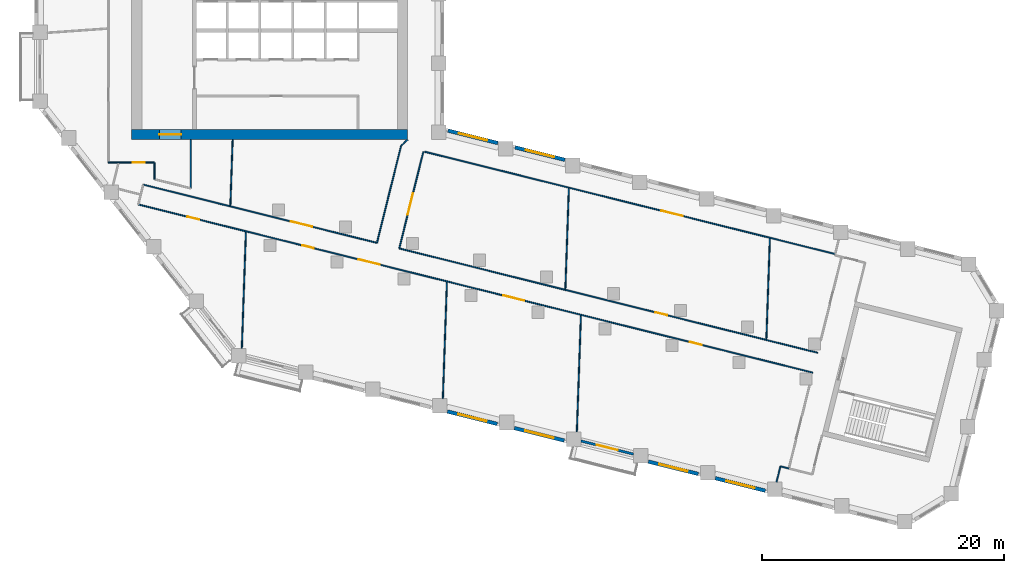
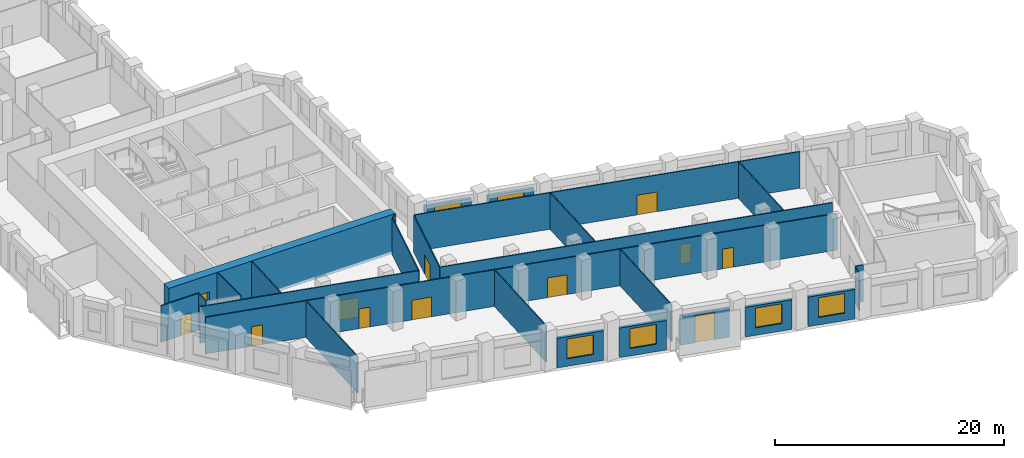
# One storey, part 3 of 10: 26 walls, 12 doors, 6 windows, 18 openings.
"""IFC4 building model written with IfcOpenShell, lengths in metres."""

from ifc_helpers import new_model, si_unit, direction, frame, frame_2d, origin, place, context, subcontext, project, spatial, rectangle, extrude, material, layer, layer_set, type_object, element, fill, save


model = new_model("IFC4")

# Units and contexts
model_context = context("Model", 3, precision=1e-05, world=origin(), true_north=direction((0.0, 1.0)))
body_context = subcontext(model_context, "Body", "Model", "MODEL_VIEW")
ifc_project = project(units=[si_unit("LENGTHUNIT", "METRE"), si_unit("AREAUNIT", "SQUARE_METRE"), si_unit("VOLUMEUNIT", "CUBIC_METRE"), si_unit("PLANEANGLEUNIT", "RADIAN"), si_unit("MASSUNIT", "GRAM", prefix="KILO")], contexts=[model_context])

# Site, building, storey
site_placement = place(None, origin())
site = spatial("IfcSite", under=ifc_project, at=site_placement, CompositionType="ELEMENT")
building_placement = place(site_placement, origin())
building = spatial("IfcBuilding", under=site, at=building_placement, Name="Meshkara Civic Tower", CompositionType="ELEMENT")
storey_placement = place(building_placement, frame((0.0, 0.0, 165.60009765625)))
storey = spatial("IfcBuildingStorey", under=building, at=storey_placement, Name="L37", CompositionType="ELEMENT", Elevation=165.60009765625)

# Wall, opening, door
ifc_material_1 = material(Name="Concrete C70", Category="concrete")
ifc_layer_1 = layer(ifc_material_1, 0.85009765625)
ifc_layer_set_1 = layer_set([ifc_layer_1], Name="Core ring wall 850 C70")
wall_type_1 = type_object("IfcWallType", Name="Core ring wall 850 C70", PredefinedType="SHEAR", material=ifc_layer_set_1)
wall_1_placement = place(storey_placement, frame((8.0, 14.52490234375, -0.300048828125), z_axis=(0.0, 0.0, 1.0), x_axis=(1.0, 0.0, 0.0)))
wall_1 = element("IfcWall", 1, at=wall_1_placement, inside=storey, type_object=wall_type_1, Name="L37-C001", PredefinedType="SHEAR", context=body_context, shape_type="SweptSolid", body=[
    extrude(rectangle(XDim=22.800048828125, YDim=0.85009765625, at=frame_2d((11.39990234375, 0.0))), origin(), (0.0, 0.0, 1.0), 4.199951171875),
])
opening_1_placement = place(wall_1_placement, frame((2.300048828125, 0.0, 0.300048828125)))
opening_1 = element("IfcOpeningElement", 2, at=opening_1_placement, cuts=wall_1, Name="Opening L37-K020", PredefinedType="OPENING", context=body_context, shape_type="SweptSolid", body=[
    extrude(rectangle(XDim=1.800048828125, YDim=2.10009765625, at=frame_2d((0.89990234375, 1.050048828125))), frame((0.0, 0.43505859375, 0.0), z_axis=(0.0, -1.0, 0.0), x_axis=(1.0, 0.0, 0.0)), (0.0, 0.0, 1.0), 0.8701171875),
])
ifc_material_2 = material(Name="Fire-rated door leaf in steel frame", Category="steel")
door_type_1 = type_object("IfcDoorType", Name="Core double door 1800 EI 60", OperationType="DOUBLE_DOOR_SINGLE_SWING", PredefinedType="DOOR", material=ifc_material_2)
door_1_placement = place(opening_1_placement, origin())
door_1 = element("IfcDoor", 3, at=door_1_placement, inside=storey, type_object=door_type_1, Name="L37-K020", OperationType="DOUBLE_DOOR_SINGLE_SWING", OverallHeight=2.10009765625, OverallWidth=1.800048828125, PredefinedType="DOOR", context=body_context, shape_type="SweptSolid", body=[
    extrude(rectangle(XDim=1.800048828125, YDim=2.10009765625, at=frame_2d((0.89990234375, 1.050048828125))), frame((0.0, 0.02490234375, 0.0), z_axis=(0.0, -1.0, 0.0), x_axis=(1.0, 0.0, 0.0)), (0.0, 0.0, 1.0), 0.050048828125),
])
fill(opening_1, door_1)

ifc_material_3 = material(Name="Corridor wall 100")
ifc_layer_2 = layer(ifc_material_3, 0.10009765625)
ifc_layer_set_2 = layer_set([ifc_layer_2], Name="Corridor wall 100")
wall_type_2 = type_object("IfcWallType", Name="Corridor wall 100", PredefinedType="PARTITIONING", material=ifc_layer_set_2)
wall_2_placement = place(storey_placement, frame((6.10009765625, 12.199951171875, 0.0), z_axis=(0.0, 0.0, 1.0), x_axis=(1.0, 0.0, 0.0)))
wall_2 = element("IfcWall", 4, at=wall_2_placement, inside=storey, type_object=wall_type_2, Name="L37-W004", PredefinedType="PARTITIONING", context=body_context, shape_type="SweptSolid", body=[
    extrude(rectangle(XDim=3.7998046875, YDim=0.10009765625, at=frame_2d((1.89990234375, 0.0))), origin(), (0.0, 0.0, 1.0), 3.89990234375),
])
opening_2_placement = place(wall_2_placement, frame((2.001953125, 0.0, 0.0)))
opening_2 = element("IfcOpeningElement", 5, at=opening_2_placement, cuts=wall_2, Name="Opening L37-D015", PredefinedType="OPENING", context=body_context, shape_type="SweptSolid", body=[
    extrude(rectangle(XDim=1.0, YDim=2.10009765625, at=frame_2d((0.5, 1.050048828125))), frame((0.0, 0.06005859375, 0.0), z_axis=(0.0, -1.0, 0.0), x_axis=(1.0, 0.0, 0.0)), (0.0, 0.0, 1.0), 0.1201171875),
])
ifc_material_4 = material(Name="Door 1000 x 2100")
door_type_2 = type_object("IfcDoorType", Name="Door 1000 x 2100", OperationType="SINGLE_SWING_LEFT", PredefinedType="DOOR", material=ifc_material_4)
door_2_placement = place(opening_2_placement, origin())
door_2 = element("IfcDoor", 6, at=door_2_placement, inside=storey, type_object=door_type_2, Name="L37-D015", OperationType="SINGLE_SWING_LEFT", OverallHeight=2.10009765625, OverallWidth=1.0, PredefinedType="DOOR", context=body_context, shape_type="SweptSolid", body=[
    extrude(rectangle(XDim=1.0, YDim=2.10009765625, at=frame_2d((0.5, 1.050048828125))), frame((0.0, 0.02490234375, 0.0), z_axis=(0.0, -1.0, 0.0), x_axis=(1.0, 0.0, 0.0)), (0.0, 0.0, 1.0), 0.050048828125),
])
fill(opening_2, door_2)

# Wall, openings, doors
wall_3_placement = place(storey_placement, frame((8.56494140625, 8.743896484375, 0.0), z_axis=(0.0, 0.0, 1.0), x_axis=(0.970296742948, -0.241917817915, 0.0)))
wall_3 = element("IfcWall", 7, at=wall_3_placement, inside=storey, type_object=wall_type_2, Name="L37-W006", PredefinedType="PARTITIONING", context=body_context, shape_type="SweptSolid", body=[
    extrude(rectangle(XDim=57.374267578125, YDim=0.10009765625, at=frame_2d((28.68701171875, 0.0))), origin(), (0.0, 0.0, 1.0), 3.89990234375),
])
opening_3_placement = place(wall_3_placement, frame((46.93603515625, 0.0, 0.0)))
opening_3 = element("IfcOpeningElement", 8, at=opening_3_placement, cuts=wall_3, Name="Opening L37-D004", PredefinedType="OPENING", context=body_context, shape_type="SweptSolid", body=[
    extrude(rectangle(XDim=1.0, YDim=2.10009765625, at=frame_2d((0.5, 1.050048828125))), frame((0.0, 0.06005859375, 0.0), z_axis=(0.0, -1.0, 0.0), x_axis=(1.0, 0.0, 0.0)), (0.0, 0.0, 1.0), 0.1201171875),
])
opening_4_placement = place(wall_3_placement, frame((13.93603515625, 0.0, 0.0)))
opening_4 = element("IfcOpeningElement", 9, at=opening_4_placement, cuts=wall_3, Name="Opening L37-D005", PredefinedType="OPENING", context=body_context, shape_type="SweptSolid", body=[
    extrude(rectangle(XDim=1.0, YDim=2.10009765625, at=frame_2d((0.5, 1.050048828125))), frame((0.0, 0.06005859375, 0.0), z_axis=(0.0, -1.0, 0.0), x_axis=(1.0, 0.0, 0.0)), (0.0, 0.0, 1.0), 0.1201171875),
])
opening_5_placement = place(wall_3_placement, frame((18.736083984375, 0.0, 0.0)))
opening_5 = element("IfcOpeningElement", 10, at=opening_5_placement, cuts=wall_3, Name="Opening L37-D006", PredefinedType="OPENING", context=body_context, shape_type="SweptSolid", body=[
    extrude(rectangle(XDim=1.800048828125, YDim=2.10009765625, at=frame_2d((0.89990234375, 1.050048828125))), frame((0.0, 0.06005859375, 0.0), z_axis=(0.0, -1.0, 0.0), x_axis=(1.0, 0.0, 0.0)), (0.0, 0.0, 1.0), 0.1201171875),
])
opening_6_placement = place(wall_3_placement, frame((31.035888671875, 0.0, 0.0)))
opening_6 = element("IfcOpeningElement", 11, at=opening_6_placement, cuts=wall_3, Name="Opening L37-D007", PredefinedType="OPENING", context=body_context, shape_type="SweptSolid", body=[
    extrude(rectangle(XDim=1.800048828125, YDim=2.10009765625, at=frame_2d((0.89990234375, 1.050048828125))), frame((0.0, 0.06005859375, 0.0), z_axis=(0.0, -1.0, 0.0), x_axis=(1.0, 0.0, 0.0)), (0.0, 0.0, 1.0), 0.1201171875),
])
opening_7_placement = place(wall_3_placement, frame((4.179931640625, 0.0, 0.0)))
opening_7 = element("IfcOpeningElement", 12, at=opening_7_placement, cuts=wall_3, Name="Opening L37-D010", PredefinedType="OPENING", context=body_context, shape_type="SweptSolid", body=[
    extrude(rectangle(XDim=1.0, YDim=2.10009765625, at=frame_2d((0.5, 1.050048828125))), frame((0.0, 0.06005859375, 0.0), z_axis=(0.0, -1.0, 0.0), x_axis=(1.0, 0.0, 0.0)), (0.0, 0.0, 1.0), 0.1201171875),
])
door_3_placement = place(opening_3_placement, origin())
door_3 = element("IfcDoor", 13, at=door_3_placement, inside=storey, type_object=door_type_2, Name="L37-D004", OperationType="SINGLE_SWING_RIGHT", OverallHeight=2.10009765625, OverallWidth=1.0, PredefinedType="DOOR", context=body_context, shape_type="SweptSolid", body=[
    extrude(rectangle(XDim=1.0, YDim=2.10009765625, at=frame_2d((0.5, 1.050048828125))), frame((0.0, 0.02490234375, 0.0), z_axis=(0.0, -1.0, 0.0), x_axis=(1.0, 0.0, 0.0)), (0.0, 0.0, 1.0), 0.050048828125),
])
fill(opening_3, door_3)
door_4_placement = place(opening_4_placement, origin())
door_4 = element("IfcDoor", 14, at=door_4_placement, inside=storey, type_object=door_type_2, Name="L37-D005", OperationType="SINGLE_SWING_RIGHT", OverallHeight=2.10009765625, OverallWidth=1.0, PredefinedType="DOOR", context=body_context, shape_type="SweptSolid", body=[
    extrude(rectangle(XDim=1.0, YDim=2.10009765625, at=frame_2d((0.5, 1.050048828125))), frame((0.0, 0.02490234375, 0.0), z_axis=(0.0, -1.0, 0.0), x_axis=(1.0, 0.0, 0.0)), (0.0, 0.0, 1.0), 0.050048828125),
])
fill(opening_4, door_4)
door_5_placement = place(opening_7_placement, origin())
door_5 = element("IfcDoor", 15, at=door_5_placement, inside=storey, type_object=door_type_2, Name="L37-D010", OperationType="SINGLE_SWING_LEFT", OverallHeight=2.10009765625, OverallWidth=1.0, PredefinedType="DOOR", context=body_context, shape_type="SweptSolid", body=[
    extrude(rectangle(XDim=1.0, YDim=2.10009765625, at=frame_2d((0.5, 1.050048828125))), frame((0.0, 0.02490234375, 0.0), z_axis=(0.0, -1.0, 0.0), x_axis=(1.0, 0.0, 0.0)), (0.0, 0.0, 1.0), 0.050048828125),
])
fill(opening_7, door_5)
ifc_material_5 = material(Name="Door pair 1800 x 2100")
door_type_3 = type_object("IfcDoorType", Name="Door pair 1800 x 2100", OperationType="SINGLE_SWING_LEFT", PredefinedType="DOOR", material=ifc_material_5)
door_6_placement = place(opening_5_placement, origin())
door_6 = element("IfcDoor", 16, at=door_6_placement, inside=storey, type_object=door_type_3, Name="L37-D006", OperationType="DOUBLE_DOOR_SINGLE_SWING", OverallHeight=2.10009765625, OverallWidth=1.800048828125, PredefinedType="DOOR", context=body_context, shape_type="SweptSolid", body=[
    extrude(rectangle(XDim=1.800048828125, YDim=2.10009765625, at=frame_2d((0.89990234375, 1.050048828125))), frame((0.0, 0.02490234375, 0.0), z_axis=(0.0, -1.0, 0.0), x_axis=(1.0, 0.0, 0.0)), (0.0, 0.0, 1.0), 0.050048828125),
])
fill(opening_5, door_6)
door_7_placement = place(opening_6_placement, origin())
door_7 = element("IfcDoor", 17, at=door_7_placement, inside=storey, type_object=door_type_3, Name="L37-D007", OperationType="DOUBLE_DOOR_SINGLE_SWING", OverallHeight=2.10009765625, OverallWidth=1.800048828125, PredefinedType="DOOR", context=body_context, shape_type="SweptSolid", body=[
    extrude(rectangle(XDim=1.800048828125, YDim=2.10009765625, at=frame_2d((0.89990234375, 1.050048828125))), frame((0.0, 0.02490234375, 0.0), z_axis=(0.0, -1.0, 0.0), x_axis=(1.0, 0.0, 0.0)), (0.0, 0.0, 1.0), 0.050048828125),
])
fill(opening_6, door_7)

# Wall, opening, door
wall_4_placement = place(storey_placement, frame((8.972900390625, 10.382080078125, 0.0), z_axis=(0.0, 0.0, 1.0), x_axis=(0.970286808807, -0.241957658808, 0.0)))
wall_4 = element("IfcWall", 18, at=wall_4_placement, inside=storey, type_object=wall_type_2, Name="L37-W007", PredefinedType="PARTITIONING", context=body_context, shape_type="SweptSolid", body=[
    extrude(rectangle(XDim=19.879638671875, YDim=0.10009765625, at=frame_2d((9.93994140625, 0.0))), origin(), (0.0, 0.0, 1.0), 3.89990234375),
])
opening_8_placement = place(wall_4_placement, frame((12.574951171875, 0.0, 0.0)))
opening_8 = element("IfcOpeningElement", 19, at=opening_8_placement, cuts=wall_4, Name="Opening L37-D011", PredefinedType="OPENING", context=body_context, shape_type="SweptSolid", body=[
    extrude(rectangle(XDim=1.800048828125, YDim=2.10009765625, at=frame_2d((0.89990234375, 1.050048828125))), frame((0.0, 0.06005859375, 0.0), z_axis=(0.0, -1.0, 0.0), x_axis=(1.0, 0.0, 0.0)), (0.0, 0.0, 1.0), 0.1201171875),
])
door_8_placement = place(opening_8_placement, origin())
door_8 = element("IfcDoor", 20, at=door_8_placement, inside=storey, type_object=door_type_3, Name="L37-D011", OperationType="DOUBLE_DOOR_SINGLE_SWING", OverallHeight=2.10009765625, OverallWidth=1.800048828125, PredefinedType="DOOR", context=body_context, shape_type="SweptSolid", body=[
    extrude(rectangle(XDim=1.800048828125, YDim=2.10009765625, at=frame_2d((0.89990234375, 1.050048828125))), frame((0.0, 0.02490234375, 0.0), z_axis=(0.0, -1.0, 0.0), x_axis=(1.0, 0.0, 0.0)), (0.0, 0.0, 1.0), 0.050048828125),
])
fill(opening_8, door_8)

# Walls
wall_5_placement = place(storey_placement, frame((9.89990234375, 12.199951171875, 0.0), z_axis=(0.0, 0.0, 1.0), x_axis=(0.0, -1.0, 0.0)))
element("IfcWall", 21, at=wall_5_placement, inside=storey, type_object=wall_type_2, Name="L37-W010", PredefinedType="PARTITIONING", context=body_context, shape_type="SweptSolid", body=[
    extrude(rectangle(XDim=1.3740234375, YDim=0.10009765625, at=frame_2d((0.68701171875, 0.0))), origin(), (0.0, 0.0, 1.0), 3.89990234375),
])
wall_6_placement = place(storey_placement, frame((12.89990234375, 10.077880859375, 0.0), z_axis=(0.0, 0.0, 1.0), x_axis=(0.0, 1.0, 0.0)))
element("IfcWall", 22, at=wall_6_placement, inside=storey, type_object=wall_type_2, Name="L37-W016", PredefinedType="PARTITIONING", context=body_context, shape_type="SweptSolid", body=[
    extrude(rectangle(XDim=4.022216796875, YDim=0.10009765625, at=frame_2d((2.01123046875, 0.0))), origin(), (0.0, 0.0, 1.0), 3.89990234375),
])

# Wall, opening, door
wall_7_placement = place(storey_placement, frame((30.10498046875, 5.113037109375, 0.0), z_axis=(0.0, 0.0, 1.0), x_axis=(0.970292395556, -0.241935253995, 0.0)))
wall_7 = element("IfcWall", 23, at=wall_7_placement, inside=storey, type_object=wall_type_2, Name="L37-W027", PredefinedType="PARTITIONING", context=body_context, shape_type="SweptSolid", body=[
    extrude(rectangle(XDim=35.596435546875, YDim=0.10009765625, at=frame_2d((17.79833984375, 0.0))), origin(), (0.0, 0.0, 1.0), 3.89990234375),
])
opening_9_placement = place(wall_7_placement, frame((21.7958984375, 0.0, 0.0)))
opening_9 = element("IfcOpeningElement", 24, at=opening_9_placement, cuts=wall_7, Name="Opening L37-D003", PredefinedType="OPENING", context=body_context, shape_type="SweptSolid", body=[
    extrude(rectangle(XDim=1.0, YDim=2.10009765625, at=frame_2d((0.5, 1.050048828125))), frame((0.0, 0.06005859375, 0.0), z_axis=(0.0, -1.0, 0.0), x_axis=(1.0, 0.0, 0.0)), (0.0, 0.0, 1.0), 0.1201171875),
])
door_9_placement = place(opening_9_placement, origin())
door_9 = element("IfcDoor", 25, at=door_9_placement, inside=storey, type_object=door_type_2, Name="L37-D003", OperationType="SINGLE_SWING_LEFT", OverallHeight=2.10009765625, OverallWidth=1.0, PredefinedType="DOOR", context=body_context, shape_type="SweptSolid", body=[
    extrude(rectangle(XDim=1.0, YDim=2.10009765625, at=frame_2d((0.5, 1.050048828125))), frame((0.0, 0.02490234375, 0.0), z_axis=(0.0, -1.0, 0.0), x_axis=(1.0, 0.0, 0.0)), (0.0, 0.0, 1.0), 0.050048828125),
])
fill(opening_9, door_9)

wall_8_placement = place(storey_placement, frame((30.10498046875, 5.113037109375, 0.0), z_axis=(0.0, 0.0, 1.0), x_axis=(0.241984285369, 0.970280168629, 0.0)))
wall_8 = element("IfcWall", 26, at=wall_8_placement, inside=storey, type_object=wall_type_2, Name="L37-W028", PredefinedType="PARTITIONING", context=body_context, shape_type="SweptSolid", body=[
    extrude(rectangle(XDim=8.231689453125, YDim=0.10009765625, at=frame_2d((4.11572265625, 0.0))), origin(), (0.0, 0.0, 1.0), 3.89990234375),
])
opening_10_placement = place(wall_8_placement, frame((2.8798828125, 0.0, 0.0)))
opening_10 = element("IfcOpeningElement", 27, at=opening_10_placement, cuts=wall_8, Name="Opening L37-D012", PredefinedType="OPENING", context=body_context, shape_type="SweptSolid", body=[
    extrude(rectangle(XDim=1.800048828125, YDim=2.10009765625, at=frame_2d((0.89990234375, 1.050048828125))), frame((0.0, 0.06005859375, 0.0), z_axis=(0.0, -1.0, 0.0), x_axis=(1.0, 0.0, 0.0)), (0.0, 0.0, 1.0), 0.1201171875),
])
door_10_placement = place(opening_10_placement, origin())
door_10 = element("IfcDoor", 28, at=door_10_placement, inside=storey, type_object=door_type_3, Name="L37-D012", OperationType="DOUBLE_DOOR_SINGLE_SWING", OverallHeight=2.10009765625, OverallWidth=1.800048828125, PredefinedType="DOOR", context=body_context, shape_type="SweptSolid", body=[
    extrude(rectangle(XDim=1.800048828125, YDim=2.10009765625, at=frame_2d((0.89990234375, 1.050048828125))), frame((0.0, 0.02490234375, 0.0), z_axis=(0.0, -1.0, 0.0), x_axis=(1.0, 0.0, 0.0)), (0.0, 0.0, 1.0), 0.050048828125),
])
fill(opening_10, door_10)

# Walls
wall_9_placement = place(storey_placement, frame((30.259033203125, 13.5830078125, 0.0), z_axis=(0.0, 0.0, 1.0), x_axis=(-0.241888494143, -0.970304053584, 0.0)))
element("IfcWall", 29, at=wall_9_placement, inside=storey, type_object=wall_type_2, Name="L37-W029", PredefinedType="PARTITIONING", context=body_context, shape_type="SweptSolid", body=[
    extrude(rectangle(XDim=8.256103515625, YDim=0.10009765625, at=frame_2d((4.1279296875, 0.0))), origin(), (0.0, 0.0, 1.0), 3.89990234375),
])
wall_10_placement = place(storey_placement, frame((30.800048828125, 14.10009765625, 0.0), z_axis=(0.0, 0.0, 1.0), x_axis=(-0.722911025189, -0.690941133281, 0.0)))
element("IfcWall", 30, at=wall_10_placement, inside=storey, type_object=wall_type_2, Name="L37-W030", PredefinedType="PARTITIONING", context=body_context, shape_type="SweptSolid", body=[
    extrude(rectangle(XDim=0.748291015625, YDim=0.10009765625, at=frame_2d((0.3740234375, 0.0))), origin(), (0.0, 0.0, 1.0), 3.89990234375),
])

# Wall, opening, door
wall_11_placement = place(storey_placement, frame((32.196044921875, 13.10009765625, 0.0), z_axis=(0.0, 0.0, 1.0), x_axis=(0.970294028693, -0.241928704129, 0.0)))
wall_11 = element("IfcWall", 31, at=wall_11_placement, inside=storey, type_object=wall_type_2, Name="L37-W031", PredefinedType="PARTITIONING", context=body_context, shape_type="SweptSolid", body=[
    extrude(rectangle(XDim=34.928466796875, YDim=0.10009765625, at=frame_2d((17.46435546875, 0.0))), origin(), (0.0, 0.0, 1.0), 3.89990234375),
])
opening_11_placement = place(wall_11_placement, frame((20.156982421875, 0.0, 0.0)))
opening_11 = element("IfcOpeningElement", 32, at=opening_11_placement, cuts=wall_11, Name="Opening L37-D013", PredefinedType="OPENING", context=body_context, shape_type="SweptSolid", body=[
    extrude(rectangle(XDim=1.800048828125, YDim=2.10009765625, at=frame_2d((0.89990234375, 1.050048828125))), frame((0.0, 0.06005859375, 0.0), z_axis=(0.0, -1.0, 0.0), x_axis=(1.0, 0.0, 0.0)), (0.0, 0.0, 1.0), 0.1201171875),
])
door_11_placement = place(opening_11_placement, origin())
door_11 = element("IfcDoor", 33, at=door_11_placement, inside=storey, type_object=door_type_3, Name="L37-D013", OperationType="DOUBLE_DOOR_SINGLE_SWING", OverallHeight=2.10009765625, OverallWidth=1.800048828125, PredefinedType="DOOR", context=body_context, shape_type="SweptSolid", body=[
    extrude(rectangle(XDim=1.800048828125, YDim=2.10009765625, at=frame_2d((0.89990234375, 1.050048828125))), frame((0.0, 0.02490234375, 0.0), z_axis=(0.0, -1.0, 0.0), x_axis=(1.0, 0.0, 0.0)), (0.0, 0.0, 1.0), 0.050048828125),
])
fill(opening_11, door_11)

# Wall, opening, window
ifc_material_6 = material(Name="Insulated infill panel with bronze anodised aluminium cladding", Category="aluminium")
ifc_layer_3 = layer(ifc_material_6, 0.300048828125)
ifc_layer_set_3 = layer_set([ifc_layer_3], Name="EXTERNAL INFILL WALL 300")
wall_type_3 = type_object("IfcWallType", Name="EXTERNAL INFILL WALL 300", PredefinedType="SOLIDWALL", material=ifc_layer_set_3)
wall_12_placement = place(storey_placement, frame((43.778076171875, 12.427978515625, 0.0), z_axis=(0.0, 0.0, 1.0), x_axis=(-0.970291164166, 0.241940192487, 0.0)))
wall_12 = element("IfcWall", 34, at=wall_12_placement, inside=storey, type_object=wall_type_3, Name="External wall", PredefinedType="SOLIDWALL", context=body_context, shape_type="SweptSolid", body=[
    extrude(rectangle(XDim=4.245361328125, YDim=0.300048828125, at=frame_2d((2.12255859375, 0.0))), origin(), (0.0, 0.0, 1.0), 3.14990234375),
])
opening_12_placement = place(wall_12_placement, frame((0.922119140625, 0.0, 0.800048828125)))
opening_12 = element("IfcOpeningElement", 35, at=opening_12_placement, cuts=wall_12, Name="Opening W7", PredefinedType="OPENING", context=body_context, shape_type="SweptSolid", body=[
    extrude(rectangle(XDim=2.39990234375, YDim=2.10009765625, at=frame_2d((1.199951171875, 1.050048828125))), frame((0.0, 0.159912109375, 0.0), z_axis=(0.0, -1.0, 0.0), x_axis=(1.0, 0.0, 0.0)), (0.0, 0.0, 1.0), 0.320068359375),
])
ifc_material_7 = material(Name="Tinted double glazing", Category="glass")
window_type = type_object("IfcWindowType", Name="WINDOW 2400x2100", PartitioningType="DOUBLE_PANEL_VERTICAL", PredefinedType="WINDOW", material=ifc_material_7)
window_1_placement = place(opening_12_placement, origin())
window_1 = element("IfcWindow", 36, at=window_1_placement, inside=storey, type_object=window_type, Name="Window", OverallHeight=2.10009765625, OverallWidth=2.39990234375, PartitioningType="DOUBLE_PANEL_VERTICAL", PredefinedType="WINDOW", context=body_context, shape_type="SweptSolid", body=[
    extrude(rectangle(XDim=2.39990234375, YDim=2.10009765625, at=frame_2d((1.199951171875, 1.050048828125))), frame((0.0, 0.030029296875, 0.0), z_axis=(0.0, -1.0, 0.0), x_axis=(1.0, 0.0, 0.0)), (0.0, 0.0, 1.0), 0.06005859375),
])
fill(opening_12, window_1)

wall_13_placement = place(storey_placement, frame((38.248046875, 13.806884765625, 0.0), z_axis=(0.0, 0.0, 1.0), x_axis=(-0.970250625545, 0.242102712975, 0.0)))
wall_13 = element("IfcWall", 37, at=wall_13_placement, inside=storey, type_object=wall_type_3, Name="External wall", PredefinedType="SOLIDWALL", context=body_context, shape_type="SweptSolid", body=[
    extrude(rectangle(XDim=4.246337890625, YDim=0.300048828125, at=frame_2d((2.123046875, 0.0))), origin(), (0.0, 0.0, 1.0), 3.14990234375),
])
opening_13_placement = place(wall_13_placement, frame((0.923095703125, 0.0, 0.800048828125)))
opening_13 = element("IfcOpeningElement", 38, at=opening_13_placement, cuts=wall_13, Name="Opening W7", PredefinedType="OPENING", context=body_context, shape_type="SweptSolid", body=[
    extrude(rectangle(XDim=2.39990234375, YDim=2.10009765625, at=frame_2d((1.199951171875, 1.050048828125))), frame((0.0, 0.159912109375, 0.0), z_axis=(0.0, -1.0, 0.0), x_axis=(1.0, 0.0, 0.0)), (0.0, 0.0, 1.0), 0.320068359375),
])
window_2_placement = place(opening_13_placement, origin())
window_2 = element("IfcWindow", 39, at=window_2_placement, inside=storey, type_object=window_type, Name="Window", OverallHeight=2.10009765625, OverallWidth=2.39990234375, PartitioningType="DOUBLE_PANEL_VERTICAL", PredefinedType="WINDOW", context=body_context, shape_type="SweptSolid", body=[
    extrude(rectangle(XDim=2.39990234375, YDim=2.10009765625, at=frame_2d((1.199951171875, 1.050048828125))), frame((0.0, 0.030029296875, 0.0), z_axis=(0.0, -1.0, 0.0), x_axis=(1.0, 0.0, 0.0)), (0.0, 0.0, 1.0), 0.06005859375),
])
fill(opening_13, window_2)

wall_14_placement = place(storey_placement, frame((34.075927734375, -8.342041015625, 0.0), z_axis=(0.0, 0.0, 1.0), x_axis=(0.970318118028, -0.241832069473, 0.0)))
wall_14 = element("IfcWall", 40, at=wall_14_placement, inside=storey, type_object=wall_type_3, Name="External wall", PredefinedType="SOLIDWALL", context=body_context, shape_type="SweptSolid", body=[
    extrude(rectangle(XDim=4.24609375, YDim=0.300048828125, at=frame_2d((2.123046875, 0.0))), origin(), (0.0, 0.0, 1.0), 3.14990234375),
])
opening_14_placement = place(wall_14_placement, frame((0.923095703125, 0.0, 0.800048828125)))
opening_14 = element("IfcOpeningElement", 41, at=opening_14_placement, cuts=wall_14, Name="Opening W7", PredefinedType="OPENING", context=body_context, shape_type="SweptSolid", body=[
    extrude(rectangle(XDim=2.39990234375, YDim=2.10009765625, at=frame_2d((1.199951171875, 1.050048828125))), frame((0.0, 0.159912109375, 0.0), z_axis=(0.0, -1.0, 0.0), x_axis=(1.0, 0.0, 0.0)), (0.0, 0.0, 1.0), 0.320068359375),
])
window_3_placement = place(opening_14_placement, origin())
window_3 = element("IfcWindow", 42, at=window_3_placement, inside=storey, type_object=window_type, Name="Window", OverallHeight=2.10009765625, OverallWidth=2.39990234375, PartitioningType="DOUBLE_PANEL_VERTICAL", PredefinedType="WINDOW", context=body_context, shape_type="SweptSolid", body=[
    extrude(rectangle(XDim=2.39990234375, YDim=2.10009765625, at=frame_2d((1.199951171875, 1.050048828125))), frame((0.0, 0.030029296875, 0.0), z_axis=(0.0, -1.0, 0.0), x_axis=(1.0, 0.0, 0.0)), (0.0, 0.0, 1.0), 0.06005859375),
])
fill(opening_14, window_3)

wall_15_placement = place(storey_placement, frame((39.60693359375, -9.719970703125, 0.0), z_axis=(0.0, 0.0, 1.0), x_axis=(0.970250625545, -0.242102712975, 0.0)))
wall_15 = element("IfcWall", 43, at=wall_15_placement, inside=storey, type_object=wall_type_3, Name="External wall", PredefinedType="SOLIDWALL", context=body_context, shape_type="SweptSolid", body=[
    extrude(rectangle(XDim=4.246337890625, YDim=0.300048828125, at=frame_2d((2.123046875, 0.0))), origin(), (0.0, 0.0, 1.0), 3.14990234375),
])
opening_15_placement = place(wall_15_placement, frame((0.923095703125, 0.0, 0.800048828125)))
opening_15 = element("IfcOpeningElement", 44, at=opening_15_placement, cuts=wall_15, Name="Opening W7", PredefinedType="OPENING", context=body_context, shape_type="SweptSolid", body=[
    extrude(rectangle(XDim=2.39990234375, YDim=2.10009765625, at=frame_2d((1.199951171875, 1.050048828125))), frame((0.0, 0.159912109375, 0.0), z_axis=(0.0, -1.0, 0.0), x_axis=(1.0, 0.0, 0.0)), (0.0, 0.0, 1.0), 0.320068359375),
])
window_4_placement = place(opening_15_placement, origin())
window_4 = element("IfcWindow", 45, at=window_4_placement, inside=storey, type_object=window_type, Name="Window", OverallHeight=2.10009765625, OverallWidth=2.39990234375, PartitioningType="DOUBLE_PANEL_VERTICAL", PredefinedType="WINDOW", context=body_context, shape_type="SweptSolid", body=[
    extrude(rectangle(XDim=2.39990234375, YDim=2.10009765625, at=frame_2d((1.199951171875, 1.050048828125))), frame((0.0, 0.030029296875, 0.0), z_axis=(0.0, -1.0, 0.0), x_axis=(1.0, 0.0, 0.0)), (0.0, 0.0, 1.0), 0.06005859375),
])
fill(opening_15, window_4)

wall_16_placement = place(storey_placement, frame((50.66796875, -12.47802734375, 0.0), z_axis=(0.0, 0.0, 1.0), x_axis=(0.970318118028, -0.241832069473, 0.0)))
wall_16 = element("IfcWall", 46, at=wall_16_placement, inside=storey, type_object=wall_type_3, Name="External wall", PredefinedType="SOLIDWALL", context=body_context, shape_type="SweptSolid", body=[
    extrude(rectangle(XDim=4.24609375, YDim=0.300048828125, at=frame_2d((2.123046875, 0.0))), origin(), (0.0, 0.0, 1.0), 3.14990234375),
])
opening_16_placement = place(wall_16_placement, frame((0.923095703125, 0.0, 0.800048828125)))
opening_16 = element("IfcOpeningElement", 47, at=opening_16_placement, cuts=wall_16, Name="Opening W7", PredefinedType="OPENING", context=body_context, shape_type="SweptSolid", body=[
    extrude(rectangle(XDim=2.39990234375, YDim=2.10009765625, at=frame_2d((1.199951171875, 1.050048828125))), frame((0.0, 0.159912109375, 0.0), z_axis=(0.0, -1.0, 0.0), x_axis=(1.0, 0.0, 0.0)), (0.0, 0.0, 1.0), 0.320068359375),
])
window_5_placement = place(opening_16_placement, origin())
window_5 = element("IfcWindow", 48, at=window_5_placement, inside=storey, type_object=window_type, Name="Window", OverallHeight=2.10009765625, OverallWidth=2.39990234375, PartitioningType="DOUBLE_PANEL_VERTICAL", PredefinedType="WINDOW", context=body_context, shape_type="SweptSolid", body=[
    extrude(rectangle(XDim=2.39990234375, YDim=2.10009765625, at=frame_2d((1.199951171875, 1.050048828125))), frame((0.0, 0.030029296875, 0.0), z_axis=(0.0, -1.0, 0.0), x_axis=(1.0, 0.0, 0.0)), (0.0, 0.0, 1.0), 0.06005859375),
])
fill(opening_16, window_5)

wall_17_placement = place(storey_placement, frame((56.198974609375, -13.85693359375, 0.0), z_axis=(0.0, 0.0, 1.0), x_axis=(0.97030462482, -0.241886202691, 0.0)))
wall_17 = element("IfcWall", 49, at=wall_17_placement, inside=storey, type_object=wall_type_3, Name="External wall", PredefinedType="SOLIDWALL", context=body_context, shape_type="SweptSolid", body=[
    extrude(rectangle(XDim=4.24609375, YDim=0.300048828125, at=frame_2d((2.123046875, 0.0))), origin(), (0.0, 0.0, 1.0), 3.14990234375),
])
opening_17_placement = place(wall_17_placement, frame((0.923095703125, 0.0, 0.800048828125)))
opening_17 = element("IfcOpeningElement", 50, at=opening_17_placement, cuts=wall_17, Name="Opening W7", PredefinedType="OPENING", context=body_context, shape_type="SweptSolid", body=[
    extrude(rectangle(XDim=2.39990234375, YDim=2.10009765625, at=frame_2d((1.199951171875, 1.050048828125))), frame((0.0, 0.159912109375, 0.0), z_axis=(0.0, -1.0, 0.0), x_axis=(1.0, 0.0, 0.0)), (0.0, 0.0, 1.0), 0.320068359375),
])
window_6_placement = place(opening_17_placement, origin())
window_6 = element("IfcWindow", 51, at=window_6_placement, inside=storey, type_object=window_type, Name="Window", OverallHeight=2.10009765625, OverallWidth=2.39990234375, PartitioningType="DOUBLE_PANEL_VERTICAL", PredefinedType="WINDOW", context=body_context, shape_type="SweptSolid", body=[
    extrude(rectangle(XDim=2.39990234375, YDim=2.10009765625, at=frame_2d((1.199951171875, 1.050048828125))), frame((0.0, 0.030029296875, 0.0), z_axis=(0.0, -1.0, 0.0), x_axis=(1.0, 0.0, 0.0)), (0.0, 0.0, 1.0), 0.06005859375),
])
fill(opening_17, window_6)

# Wall, opening, door
ifc_material_8 = material(Name="Insulated infill panel with bronze anodised aluminium cladding", Category="aluminium")
ifc_layer_4 = layer(ifc_material_8, 0.199951171875)
ifc_layer_set_4 = layer_set([ifc_layer_4], Name="LOGGIA BACK WALL 200")
wall_type_4 = type_object("IfcWallType", Name="LOGGIA BACK WALL 200", PredefinedType="SOLIDWALL", material=ifc_layer_set_4)
wall_18_placement = place(storey_placement, frame((45.10498046875, -10.781982421875, 0.0), z_axis=(0.0, 0.0, 1.0), x_axis=(0.970322450875, -0.241814683856, 0.0)))
wall_18 = element("IfcWall", 52, at=wall_18_placement, inside=storey, type_object=wall_type_4, Name="Loggia wall", PredefinedType="SOLIDWALL", context=body_context, shape_type="SweptSolid", body=[
    extrude(rectangle(XDim=4.46240234375, YDim=0.199951171875, at=frame_2d((2.231201171875, 0.0))), origin(), (0.0, 0.0, 1.0), 3.14990234375),
])
opening_18_placement = place(wall_18_placement, frame((1.3310546875, 0.0, 0.0)))
opening_18 = element("IfcOpeningElement", 53, at=opening_18_placement, cuts=wall_18, Name="Opening L37-L005", PredefinedType="OPENING", context=body_context, shape_type="SweptSolid", body=[
    extrude(rectangle(XDim=1.800048828125, YDim=2.89990234375, at=frame_2d((0.89990234375, 1.449951171875))), frame((0.0, 0.10986328125, 0.0), z_axis=(0.0, -1.0, 0.0), x_axis=(1.0, 0.0, 0.0)), (0.0, 0.0, 1.0), 0.219970703125),
])
ifc_material_9 = material(Name="Tinted double glazing", Category="glass")
door_type_4 = type_object("IfcDoorType", Name="LOGGIA DOOR 1800x2900", OperationType="DOUBLE_DOOR_SINGLE_SWING", PredefinedType="DOOR", material=ifc_material_9)
door_12_placement = place(opening_18_placement, origin())
door_12 = element("IfcDoor", 54, at=door_12_placement, inside=storey, type_object=door_type_4, Name="L37-L005", OperationType="DOUBLE_DOOR_SINGLE_SWING", OverallHeight=2.89990234375, OverallWidth=1.800048828125, PredefinedType="DOOR", context=body_context, shape_type="SweptSolid", body=[
    extrude(rectangle(XDim=1.800048828125, YDim=2.89990234375, at=frame_2d((0.89990234375, 1.449951171875))), frame((0.0, 0.02490234375, 0.0), z_axis=(0.0, -1.0, 0.0), x_axis=(1.0, 0.0, 0.0)), (0.0, 0.0, 1.0), 0.050048828125),
])
fill(opening_18, door_12)

# Walls
ifc_material_10 = material(Name="Partition 100")
ifc_layer_5 = layer(ifc_material_10, 0.10009765625)
ifc_layer_set_5 = layer_set([ifc_layer_5], Name="Partition 100")
wall_type_5 = type_object("IfcWallType", Name="Partition 100", PredefinedType="PARTITIONING", material=ifc_layer_set_5)
wall_19_placement = place(storey_placement, frame((16.1630859375, 8.652099609375, 0.0), z_axis=(0.0, 0.0, 1.0), x_axis=(0.034843270883, 0.999392788884, 0.0)))
element("IfcWall", 55, at=wall_19_placement, inside=storey, type_object=wall_type_5, Name="L37-W049", PredefinedType="PARTITIONING", context=body_context, shape_type="SweptSolid", body=[
    extrude(rectangle(XDim=5.451416015625, YDim=0.10009765625, at=frame_2d((2.7255859375, 0.0))), origin(), (0.0, 0.0, 1.0), 3.89990234375),
])
for number, where, z_axis, x_axis, name in (
    (56, (17.112060546875, -3.137939453125, 0.0), (0.0, 0.0, 1.0), (0.034852485017, 0.999392467596, 0.0), "L37-W050"),
    (57, (33.7041015625, -7.27490234375, 0.0), (0.0, 0.0, 1.0), (0.034852485017, 0.999392467596, 0.0), "L37-W052"),
):
    element("IfcWall", number, at=place(storey_placement, frame(where, z_axis=z_axis, x_axis=x_axis)), inside=storey, type_object=wall_type_5, Name=name, PredefinedType="PARTITIONING", context=body_context, shape_type="SweptSolid", body=[
        extrude(rectangle(XDim=9.61083984375, YDim=0.10009765625, at=frame_2d((4.805419921875, 0.0))), origin(), (0.0, 0.0, 1.0), 3.89990234375),
    ])
wall_20_placement = place(storey_placement, frame((43.81591796875, 1.757080078125, 0.0), z_axis=(0.0, 0.0, 1.0), x_axis=(0.034876835741, 0.9993916181, 0.0)))
element("IfcWall", 58, at=wall_20_placement, inside=storey, type_object=wall_type_5, Name="L37-W053", PredefinedType="PARTITIONING", context=body_context, shape_type="SweptSolid", body=[
    extrude(rectangle(XDim=8.316162109375, YDim=0.10009765625, at=frame_2d((4.158203125, 0.0))), origin(), (0.0, 0.0, 1.0), 3.89990234375),
])
wall_21_placement = place(storey_placement, frame((44.764892578125, -10.031982421875, 0.0), z_axis=(0.0, 0.0, 1.0), x_axis=(0.034881398978, 0.999391458842, 0.0)))
element("IfcWall", 59, at=wall_21_placement, inside=storey, type_object=wall_type_5, Name="L37-W054", PredefinedType="PARTITIONING", context=body_context, shape_type="SweptSolid", body=[
    extrude(rectangle(XDim=9.60986328125, YDim=0.10009765625, at=frame_2d((4.804931640625, 0.0))), origin(), (0.0, 0.0, 1.0), 3.89990234375),
])
wall_22_placement = place(storey_placement, frame((60.407958984375, -2.3798828125, 0.0), z_axis=(0.0, 0.0, 1.0), x_axis=(0.034877859049, 0.999391582388, 0.0)))
element("IfcWall", 60, at=wall_22_placement, inside=storey, type_object=wall_type_5, Name="L37-W055", PredefinedType="PARTITIONING", context=body_context, shape_type="SweptSolid", body=[
    extrude(rectangle(XDim=8.31591796875, YDim=0.10009765625, at=frame_2d((4.157958984375, 0.0))), origin(), (0.0, 0.0, 1.0), 3.89990234375),
])
wall_23_placement = place(storey_placement, frame((61.2470703125, -14.1689453125, 0.0), z_axis=(0.0, 0.0, 1.0), x_axis=(0.241845285879, 0.970314824012, 0.0)))
element("IfcWall", 61, at=wall_23_placement, inside=storey, type_object=wall_type_5, Name="L37-W056", PredefinedType="PARTITIONING", context=body_context, shape_type="SweptSolid", body=[
    extrude(rectangle(XDim=1.33154296875, YDim=0.10009765625, at=frame_2d((0.665771484375, 0.0))), origin(), (0.0, 0.0, 1.0), 3.89990234375),
])
wall_24_placement = place(storey_placement, frame((61.569091796875, -12.876953125, 0.0), z_axis=(0.0, 0.0, 1.0), x_axis=(0.970202439735, -0.242295740641, 0.0)))
element("IfcWall", 62, at=wall_24_placement, inside=storey, type_object=wall_type_5, Name="L37-W057", PredefinedType="PARTITIONING", context=body_context, shape_type="SweptSolid", body=[
    extrude(rectangle(XDim=0.718505859375, YDim=0.10009765625, at=frame_2d((0.359375, 0.0))), origin(), (0.0, 0.0, 1.0), 3.89990234375),
])

save(model, "model.ifc")
